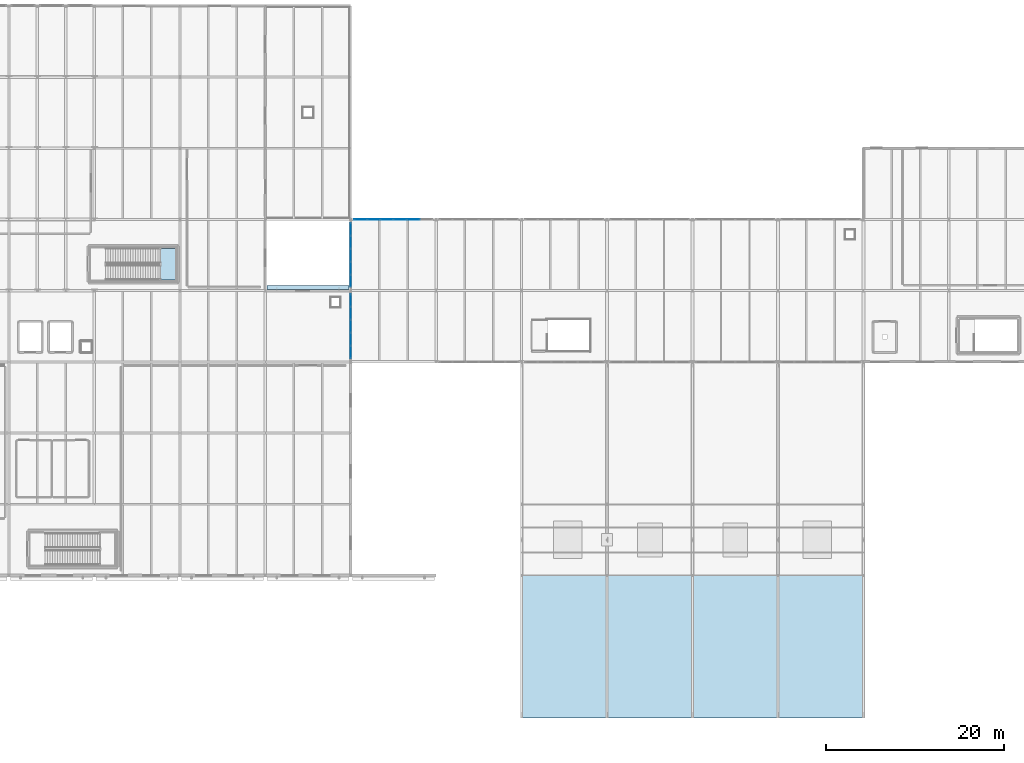
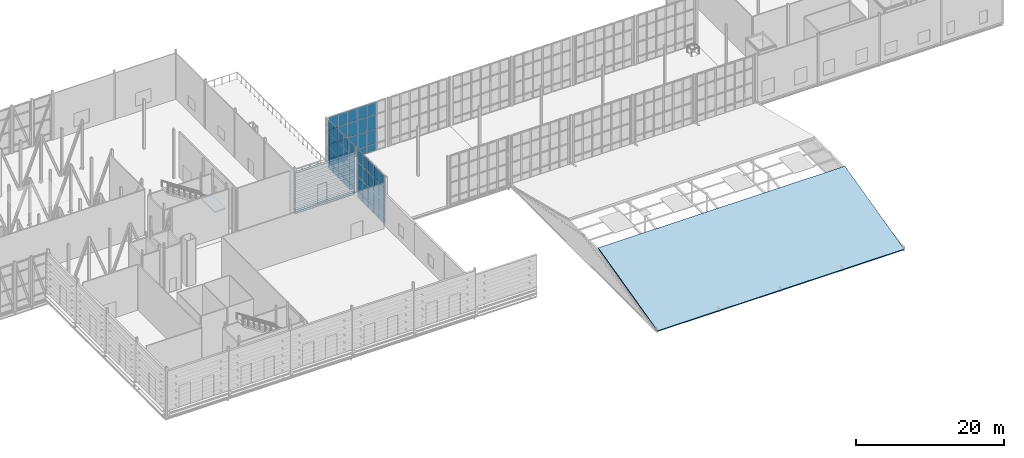
# One storey, part 50 of 73: 72 plates, 2 slabs, 4 elements without a shape of their own.
"""IFC4 building model written with IfcOpenShell, lengths in metres."""

import ifcopenshell
import ifcopenshell.guid

model = None  # the IFC model being written
_history = None  # IfcOwnerHistory: only IFC2X3 demands one
_inside = {}  # id of a spatial element -> (the spatial element, [elements in it])
_under = {}  # id of a project, library or spatial element -> (it, [spatial elements below it])
_declared = {}  # id of a project -> (the project, [libraries it declares])
_typed = {}  # id of a type object -> (the type object, [elements of that type])
_made_of = {}  # id of a material, layer set ... -> (it, [elements and type objects made of it])


def new_model(schema):
    """Start an empty IFC model of exactly this schema.

    Asked for "IFC4X3", IfcOpenShell would pick the latest addendum, in which some entities
    have other attributes; the version numbers below select the first issue.
    IFC2X3 requires an IfcOwnerHistory on every rooted entity: one is made here for all.
    """
    global model, _history
    if schema == "IFC4X3":
        model = ifcopenshell.file(schema_version=(4, 3, 0, 0))
    else:
        model = ifcopenshell.file(schema=schema)
    _inside.clear()
    _under.clear()
    _declared.clear()
    _typed.clear()
    _made_of.clear()
    _history = None
    if model.schema == "IFC2X3":
        org = make("IfcOrganization", Name="unknown")
        user = make(
            "IfcPersonAndOrganization",
            ThePerson=make("IfcPerson", FamilyName="unknown"),
            TheOrganization=org,
        )
        app = make(
            "IfcApplication",
            ApplicationDeveloper=org,
            Version="unknown",
            ApplicationFullName="unknown",
            ApplicationIdentifier="unknown",
        )
        _history = make(
            "IfcOwnerHistory",
            OwningUser=user,
            OwningApplication=app,
            ChangeAction="ADDED",
            CreationDate=0,
        )
    return model


def make(cls, **values):
    """One entity of the class cls with the attributes given. An attribute that is None is left unset."""
    return model.create_entity(
        cls, **{name: value for name, value in values.items() if value is not None}
    )


def rooted(cls, **values):
    """An entity with a GlobalId (a new one), such as an element, a storey or a relation."""
    return make(cls, GlobalId=ifcopenshell.guid.new(), OwnerHistory=_history, **values)


def si_unit(unit_type, name, prefix=None):
    """IfcSIUnit, for example si_unit("LENGTHUNIT", "METRE", prefix="MILLI")."""
    return make("IfcSIUnit", UnitType=unit_type, Prefix=prefix, Name=name)


def assignment(units):
    """IfcUnitAssignment: the units of a project."""
    return None if units is None else make("IfcUnitAssignment", Units=units)


def point(xyz):
    """IfcCartesianPoint."""
    return None if xyz is None else make("IfcCartesianPoint", Coordinates=xyz)


def direction(xyz):
    """IfcDirection."""
    return None if xyz is None else make("IfcDirection", DirectionRatios=xyz)


def frame(location, z_axis=None, x_axis=None):
    """IfcAxis2Placement3D, a coordinate frame: its origin and axes. An axis left out is left unset."""
    return make(
        "IfcAxis2Placement3D",
        Location=point(location),
        Axis=direction(z_axis),
        RefDirection=direction(x_axis),
    )


def frame_2d(location, x_axis=None):
    """IfcAxis2Placement2D, a coordinate frame in the plane: its origin and x axis."""
    return make(
        "IfcAxis2Placement2D", Location=point(location), RefDirection=direction(x_axis)
    )


def origin():
    """The frame at (0, 0, 0) with its axes left unset."""
    return frame((0.0, 0.0, 0.0))


def origin_2d():
    """The frame at (0, 0) in the plane with its x axis left unset."""
    return frame_2d((0.0, 0.0))


def place(relative_to, where):
    """IfcLocalPlacement: puts the frame where relative to a parent placement (None: the world)."""
    return make(
        "IfcLocalPlacement", PlacementRelTo=relative_to, RelativePlacement=where
    )


def context(
    kind, dimensions, precision=None, world=None, true_north=None, identifier=None
):
    """IfcGeometricRepresentationContext, for example the 3D "Model" context."""
    return make(
        "IfcGeometricRepresentationContext",
        ContextIdentifier=identifier,
        ContextType=kind,
        CoordinateSpaceDimension=dimensions,
        Precision=precision,
        WorldCoordinateSystem=world,
        TrueNorth=true_north,
    )


def subcontext(parent, identifier, kind, view, scale=None):
    """IfcGeometricRepresentationSubContext, for example "Body" below "Model"."""
    return make(
        "IfcGeometricRepresentationSubContext",
        ContextIdentifier=identifier,
        ContextType=kind,
        ParentContext=parent,
        TargetScale=scale,
        TargetView=view,
    )


def project(units=None, contexts=None):
    """IfcProject with its units and contexts."""
    return rooted(
        "IfcProject",
        Name="project",
        RepresentationContexts=contexts,
        UnitsInContext=assignment(units),
    )


def spatial(cls, under=None, at=None, **own):
    """A site, building, storey or space (cls), placed at a placement, below another one or the project."""
    s = rooted(cls, ObjectPlacement=at, **own)
    if under is not None:
        _under.setdefault(under.id(), (under, []))[1].append(s)
    return s


def polyline(points):
    """IfcPolyline through the points."""
    return make("IfcPolyline", Points=[point(p) for p in points])


def profile(cls, at=None, kind="AREA", **sizes):
    """A parametric profile (cls). Its sizes go by their IFC names, for example OverallWidth=200.0."""
    return make(cls, ProfileType=kind, Position=at, **sizes)


def rectangle(**sizes):
    """IfcRectangleProfileDef."""
    return profile("IfcRectangleProfileDef", **sizes)


def outline(outer, holes=None, kind="AREA"):
    """IfcArbitraryClosedProfileDef: a profile drawn as a closed curve; with holes, ...WithVoids."""
    if holes is None:
        return make("IfcArbitraryClosedProfileDef", ProfileType=kind, OuterCurve=outer)
    return make(
        "IfcArbitraryProfileDefWithVoids",
        ProfileType=kind,
        OuterCurve=outer,
        InnerCurves=holes,
    )


def extrude(swept, where, along, depth):
    """IfcExtrudedAreaSolid: the profile swept, set in the frame where, extruded along a direction by depth."""
    return make(
        "IfcExtrudedAreaSolid",
        SweptArea=swept,
        Position=where,
        ExtrudedDirection=direction(along),
        Depth=depth,
    )


def shape(context_of_items, identifier, shape_type, items):
    """IfcShapeRepresentation: the items that make up one representation, for example the "Body"."""
    return make(
        "IfcShapeRepresentation",
        ContextOfItems=context_of_items,
        RepresentationIdentifier=identifier,
        RepresentationType=shape_type,
        Items=items,
    )


def material(Name=None, Category=None):
    """IfcMaterial."""
    return make("IfcMaterial", Name=Name, Category=Category)


def layer(
    of_material, thickness, ventilated=None, Name=None, Category=None, Priority=None
):
    """IfcMaterialLayer: one layer of a wall or slab, of a material (None: an air gap)."""
    return make(
        "IfcMaterialLayer",
        Material=of_material,
        LayerThickness=thickness,
        IsVentilated=ventilated,
        Name=Name,
        Category=Category,
        Priority=Priority,
    )


def layer_set(layers, Name=None):
    """IfcMaterialLayerSet."""
    return make("IfcMaterialLayerSet", MaterialLayers=layers, LayerSetName=Name)


def made_of(thing, what):
    """Note that an element or type object is made of a material, layer set ...; save() writes the relation."""
    if what is not None:
        _made_of.setdefault(what.id(), (what, []))[1].append(thing)
    return thing


def type_object(cls, material=None, **own):
    """A type object (cls), such as IfcWallType, which elements share."""
    return made_of(rooted(cls, **own), material)


def element(
    cls,
    number,
    at=None,
    inside=None,
    cuts=None,
    type_object=None,
    material=None,
    context=None,
    identifier="Body",
    shape_type=None,
    held_by="IfcProductDefinitionShape",
    body=None,
    shapes=None,
    **own,
):
    """One element of the class cls, such as IfcWall. Its Tag is "e" and its number.

    at: its placement. inside: the storey or other place that contains it. cuts: it is an
    opening in that element (IfcRelVoidsElement). A single representation is given by context,
    identifier, shape_type and body (its items); several are given by shapes. held_by: the class
    of the entity that holds the representations. save() writes the other relations.
    """
    e = rooted(cls, Tag="e%d" % number, ObjectPlacement=at, **own)
    if body is not None:
        shapes = [shape(context, identifier, shape_type, body)]
    if shapes is not None:
        e.Representation = make(held_by, Representations=shapes)
    if inside is not None:
        _inside.setdefault(inside.id(), (inside, []))[1].append(e)
    if cuts is not None:
        rooted(
            "IfcRelVoidsElement", RelatingBuildingElement=cuts, RelatedOpeningElement=e
        )
    if type_object is not None:
        _typed.setdefault(type_object.id(), (type_object, []))[1].append(e)
    return made_of(e, material)


def aggregate(whole, parts):
    """IfcRelAggregates: a whole, such as a stair, and the parts it consists of."""
    return rooted("IfcRelAggregates", RelatingObject=whole, RelatedObjects=parts)


def save(model, path):
    """Write the relations noted so far, then the file.

    IfcRelAggregates (storeys below a building ...), IfcRelContainedInSpatialStructure (elements
    in a storey), IfcRelDefinesByType, IfcRelAssociatesMaterial and IfcRelDeclares: one each for
    every whole, place, type object, material and project.
    """
    for whole, parts in _under.values():
        aggregate(whole, parts)
    for where, things in _inside.values():
        rooted(
            "IfcRelContainedInSpatialStructure",
            RelatedElements=things,
            RelatingStructure=where,
        )
    for kind, things in _typed.values():
        rooted("IfcRelDefinesByType", RelatedObjects=things, RelatingType=kind)
    for what, things in _made_of.values():
        rooted("IfcRelAssociatesMaterial", RelatedObjects=things, RelatingMaterial=what)
    for by, libraries in _declared.values():
        rooted("IfcRelDeclares", RelatingContext=by, RelatedDefinitions=libraries)
    model.write(path)


model = new_model("IFC4")

# Units and contexts
model_context = context("Model", 3, precision=1e-05, world=origin(), true_north=direction((0.0, 1.0)))
body_context = subcontext(model_context, "Body", "Model", "MODEL_VIEW")
ifc_project = project(units=[si_unit("LENGTHUNIT", "METRE"), si_unit("AREAUNIT", "SQUARE_METRE"), si_unit("VOLUMEUNIT", "CUBIC_METRE"), si_unit("PLANEANGLEUNIT", "RADIAN"), si_unit("MASSUNIT", "GRAM", prefix="KILO")], contexts=[model_context])

# Site, building, storey
site_placement = place(None, origin())
site = spatial("IfcSite", under=ifc_project, at=site_placement, CompositionType="ELEMENT")
building_placement = place(site_placement, origin())
building = spatial("IfcBuilding", under=site, at=building_placement, Name="Alderhovde Museum", CompositionType="ELEMENT")
storey_placement = place(building_placement, frame((0.0, 0.0, 17.39990234375)))
storey = spatial("IfcBuildingStorey", under=building, at=storey_placement, Name="L04", CompositionType="ELEMENT", Elevation=17.39990234375)

# Curtain wall, plates
ifc_material_1 = material(Name="Triple-Glazed Bronze-Anodised Curtain Wall", Category="glass")
ifc_layer_1 = layer(ifc_material_1, 0.219970703125)
ifc_layer_set_1 = layer_set([ifc_layer_1], Name="Triple-Glazed Bronze-Anodised Curtain Wall")
curtain_wall_type_1 = type_object("IfcCurtainWallType", Name="CW-STIC-730x805", PredefinedType="USERDEFINED", material=ifc_layer_set_1)
curtain_wall_1_placement = place(storey_placement, origin())
curtain_wall_1 = element("IfcCurtainWall", 1, at=curtain_wall_1_placement, inside=storey, type_object=curtain_wall_type_1, Name="L04 Stick Curtain Wall 89", ObjectType="STICK CURTAIN WALL", PredefinedType="USERDEFINED")
ifc_material_2 = material(Name="Triple-Glazed Low-E Laminated Glass", Category="glass")
ifc_layer_2 = layer(ifc_material_2, 0.035888671875)
ifc_layer_set_2 = layer_set([ifc_layer_2], Name="Triple-Glazed Low-E Laminated Glass")
plate_type_1 = type_object("IfcPlateType", Name="CWP-GLAZ-36", PredefinedType="CURTAIN_PANEL", material=ifc_layer_set_2)
plate_1_placement = place(storey_placement, frame((57.60009765625, 73.0986328125, 0.0751953125), z_axis=(0.0, 0.0, 1.0), x_axis=(0.0, 1.0, 0.0)))
plate_1 = element("IfcPlate", 2, at=plate_1_placement, type_object=plate_type_1, Name="CW23 panel 1.1", PredefinedType="CURTAIN_PANEL", context=body_context, shape_type="SweptSolid", body=[
    extrude(rectangle(XDim=1.347412109375, YDim=0.035888671875, at=origin_2d()), origin(), (0.0, 0.0, 1.0), 1.08740234375),
])
plate_2_placement = place(storey_placement, frame((57.60009765625, 73.0986328125, 1.23779296875), z_axis=(0.0, 0.0, 1.0), x_axis=(0.0, 1.0, 0.0)))
plate_2 = element("IfcPlate", 3, at=plate_2_placement, type_object=plate_type_1, Name="CW23 panel 1.2", PredefinedType="CURTAIN_PANEL", context=body_context, shape_type="SweptSolid", body=[
    extrude(rectangle(XDim=1.347412109375, YDim=0.035888671875, at=origin_2d()), origin(), (0.0, 0.0, 1.0), 2.324951171875),
])
plate_3_placement = place(storey_placement, frame((57.60009765625, 73.0986328125, 3.6376953125), z_axis=(0.0, 0.0, 1.0), x_axis=(0.0, 1.0, 0.0)))
plate_3 = element("IfcPlate", 4, at=plate_3_placement, type_object=plate_type_1, Name="CW23 panel 1.3", PredefinedType="CURTAIN_PANEL", context=body_context, shape_type="SweptSolid", body=[
    extrude(rectangle(XDim=1.347412109375, YDim=0.035888671875, at=origin_2d()), origin(), (0.0, 0.0, 1.0), 2.324951171875),
])
plate_4_placement = place(storey_placement, frame((57.60009765625, 73.0986328125, 6.03759765625), z_axis=(0.0, 0.0, 1.0), x_axis=(0.0, 1.0, 0.0)))
plate_4 = element("IfcPlate", 5, at=plate_4_placement, type_object=plate_type_1, Name="CW23 panel 1.4", PredefinedType="CURTAIN_PANEL", context=body_context, shape_type="SweptSolid", body=[
    extrude(rectangle(XDim=1.347412109375, YDim=0.035888671875, at=origin_2d()), origin(), (0.0, 0.0, 1.0), 1.9375),
])
plate_5_placement = place(storey_placement, frame((57.60009765625, 74.5400390625, 0.0751953125), z_axis=(0.0, 0.0, 1.0), x_axis=(0.0, 1.0, 0.0)))
plate_5 = element("IfcPlate", 6, at=plate_5_placement, type_object=plate_type_1, Name="CW23 panel 2.1", PredefinedType="CURTAIN_PANEL", context=body_context, shape_type="SweptSolid", body=[
    extrude(rectangle(XDim=1.385009765625, YDim=0.035888671875, at=origin_2d()), origin(), (0.0, 0.0, 1.0), 1.08740234375),
])
plate_6_placement = place(storey_placement, frame((57.60009765625, 74.5400390625, 1.23779296875), z_axis=(0.0, 0.0, 1.0), x_axis=(0.0, 1.0, 0.0)))
plate_6 = element("IfcPlate", 7, at=plate_6_placement, type_object=plate_type_1, Name="CW23 panel 2.2", PredefinedType="CURTAIN_PANEL", context=body_context, shape_type="SweptSolid", body=[
    extrude(rectangle(XDim=1.385009765625, YDim=0.035888671875, at=origin_2d()), origin(), (0.0, 0.0, 1.0), 2.324951171875),
])
plate_7_placement = place(storey_placement, frame((57.60009765625, 74.5400390625, 3.6376953125), z_axis=(0.0, 0.0, 1.0), x_axis=(0.0, 1.0, 0.0)))
plate_7 = element("IfcPlate", 8, at=plate_7_placement, type_object=plate_type_1, Name="CW23 panel 2.3", PredefinedType="CURTAIN_PANEL", context=body_context, shape_type="SweptSolid", body=[
    extrude(rectangle(XDim=1.385009765625, YDim=0.035888671875, at=origin_2d()), origin(), (0.0, 0.0, 1.0), 2.324951171875),
])
plate_8_placement = place(storey_placement, frame((57.60009765625, 74.5400390625, 6.03759765625), z_axis=(0.0, 0.0, 1.0), x_axis=(0.0, 1.0, 0.0)))
plate_8 = element("IfcPlate", 9, at=plate_8_placement, type_object=plate_type_1, Name="CW23 panel 2.4", PredefinedType="CURTAIN_PANEL", context=body_context, shape_type="SweptSolid", body=[
    extrude(rectangle(XDim=1.385009765625, YDim=0.035888671875, at=origin_2d()), origin(), (0.0, 0.0, 1.0), 1.9375),
])
plate_9_placement = place(storey_placement, frame((57.60009765625, 76.0, 0.0751953125), z_axis=(0.0, 0.0, 1.0), x_axis=(0.0, 1.0, 0.0)))
plate_9 = element("IfcPlate", 10, at=plate_9_placement, type_object=plate_type_1, Name="CW23 panel 3.1", PredefinedType="CURTAIN_PANEL", context=body_context, shape_type="SweptSolid", body=[
    extrude(rectangle(XDim=1.385009765625, YDim=0.035888671875, at=origin_2d()), origin(), (0.0, 0.0, 1.0), 1.08740234375),
])
plate_10_placement = place(storey_placement, frame((57.60009765625, 76.0, 1.23779296875), z_axis=(0.0, 0.0, 1.0), x_axis=(0.0, 1.0, 0.0)))
plate_10 = element("IfcPlate", 11, at=plate_10_placement, type_object=plate_type_1, Name="CW23 panel 3.2", PredefinedType="CURTAIN_PANEL", context=body_context, shape_type="SweptSolid", body=[
    extrude(rectangle(XDim=1.385009765625, YDim=0.035888671875, at=origin_2d()), origin(), (0.0, 0.0, 1.0), 2.324951171875),
])
plate_11_placement = place(storey_placement, frame((57.60009765625, 76.0, 3.6376953125), z_axis=(0.0, 0.0, 1.0), x_axis=(0.0, 1.0, 0.0)))
plate_11 = element("IfcPlate", 12, at=plate_11_placement, type_object=plate_type_1, Name="CW23 panel 3.3", PredefinedType="CURTAIN_PANEL", context=body_context, shape_type="SweptSolid", body=[
    extrude(rectangle(XDim=1.385009765625, YDim=0.035888671875, at=origin_2d()), origin(), (0.0, 0.0, 1.0), 2.324951171875),
])
plate_12_placement = place(storey_placement, frame((57.60009765625, 76.0, 6.03759765625), z_axis=(0.0, 0.0, 1.0), x_axis=(0.0, 1.0, 0.0)))
plate_12 = element("IfcPlate", 13, at=plate_12_placement, type_object=plate_type_1, Name="CW23 panel 3.4", PredefinedType="CURTAIN_PANEL", context=body_context, shape_type="SweptSolid", body=[
    extrude(rectangle(XDim=1.385009765625, YDim=0.035888671875, at=origin_2d()), origin(), (0.0, 0.0, 1.0), 1.9375),
])
plate_13_placement = place(storey_placement, frame((57.60009765625, 77.4599609375, 0.0751953125), z_axis=(0.0, 0.0, 1.0), x_axis=(0.0, 1.0, 0.0)))
plate_13 = element("IfcPlate", 14, at=plate_13_placement, type_object=plate_type_1, Name="CW23 panel 4.1", PredefinedType="CURTAIN_PANEL", context=body_context, shape_type="SweptSolid", body=[
    extrude(rectangle(XDim=1.385009765625, YDim=0.035888671875, at=origin_2d()), origin(), (0.0, 0.0, 1.0), 1.08740234375),
])
plate_14_placement = place(storey_placement, frame((57.60009765625, 77.4599609375, 1.23779296875), z_axis=(0.0, 0.0, 1.0), x_axis=(0.0, 1.0, 0.0)))
plate_14 = element("IfcPlate", 15, at=plate_14_placement, type_object=plate_type_1, Name="CW23 panel 4.2", PredefinedType="CURTAIN_PANEL", context=body_context, shape_type="SweptSolid", body=[
    extrude(rectangle(XDim=1.385009765625, YDim=0.035888671875, at=origin_2d()), origin(), (0.0, 0.0, 1.0), 2.324951171875),
])
plate_15_placement = place(storey_placement, frame((57.60009765625, 77.4599609375, 3.6376953125), z_axis=(0.0, 0.0, 1.0), x_axis=(0.0, 1.0, 0.0)))
plate_15 = element("IfcPlate", 16, at=plate_15_placement, type_object=plate_type_1, Name="CW23 panel 4.3", PredefinedType="CURTAIN_PANEL", context=body_context, shape_type="SweptSolid", body=[
    extrude(rectangle(XDim=1.385009765625, YDim=0.035888671875, at=origin_2d()), origin(), (0.0, 0.0, 1.0), 2.324951171875),
])
plate_16_placement = place(storey_placement, frame((57.60009765625, 77.4599609375, 6.03759765625), z_axis=(0.0, 0.0, 1.0), x_axis=(0.0, 1.0, 0.0)))
plate_16 = element("IfcPlate", 17, at=plate_16_placement, type_object=plate_type_1, Name="CW23 panel 4.4", PredefinedType="CURTAIN_PANEL", context=body_context, shape_type="SweptSolid", body=[
    extrude(rectangle(XDim=1.385009765625, YDim=0.035888671875, at=origin_2d()), origin(), (0.0, 0.0, 1.0), 1.9375),
])
plate_17_placement = place(storey_placement, frame((57.60009765625, 78.9013671875, 0.0751953125), z_axis=(0.0, 0.0, 1.0), x_axis=(0.0, 1.0, 0.0)))
plate_17 = element("IfcPlate", 18, at=plate_17_placement, type_object=plate_type_1, Name="CW23 panel 5.1", PredefinedType="CURTAIN_PANEL", context=body_context, shape_type="SweptSolid", body=[
    extrude(rectangle(XDim=1.347412109375, YDim=0.035888671875, at=origin_2d()), origin(), (0.0, 0.0, 1.0), 1.08740234375),
])
plate_18_placement = place(storey_placement, frame((57.60009765625, 78.9013671875, 1.23779296875), z_axis=(0.0, 0.0, 1.0), x_axis=(0.0, 1.0, 0.0)))
plate_18 = element("IfcPlate", 19, at=plate_18_placement, type_object=plate_type_1, Name="CW23 panel 5.2", PredefinedType="CURTAIN_PANEL", context=body_context, shape_type="SweptSolid", body=[
    extrude(rectangle(XDim=1.347412109375, YDim=0.035888671875, at=origin_2d()), origin(), (0.0, 0.0, 1.0), 2.324951171875),
])
plate_19_placement = place(storey_placement, frame((57.60009765625, 78.9013671875, 3.6376953125), z_axis=(0.0, 0.0, 1.0), x_axis=(0.0, 1.0, 0.0)))
plate_19 = element("IfcPlate", 20, at=plate_19_placement, type_object=plate_type_1, Name="CW23 panel 5.3", PredefinedType="CURTAIN_PANEL", context=body_context, shape_type="SweptSolid", body=[
    extrude(rectangle(XDim=1.347412109375, YDim=0.035888671875, at=origin_2d()), origin(), (0.0, 0.0, 1.0), 2.324951171875),
])
plate_20_placement = place(storey_placement, frame((57.60009765625, 78.9013671875, 6.03759765625), z_axis=(0.0, 0.0, 1.0), x_axis=(0.0, 1.0, 0.0)))
plate_20 = element("IfcPlate", 21, at=plate_20_placement, type_object=plate_type_1, Name="CW23 panel 5.4", PredefinedType="CURTAIN_PANEL", context=body_context, shape_type="SweptSolid", body=[
    extrude(rectangle(XDim=1.347412109375, YDim=0.035888671875, at=origin_2d()), origin(), (0.0, 0.0, 1.0), 1.9375),
])
aggregate(curtain_wall_1, [plate_1, plate_2, plate_3, plate_4, plate_5, plate_6, plate_7, plate_8, plate_9, plate_10, plate_11, plate_12, plate_13, plate_14, plate_15, plate_16, plate_17, plate_18, plate_19, plate_20])

ifc_material_3 = material(Name="Triple-Glazed Bronze-Anodised Curtain Wall", Category="glass")
ifc_layer_3 = layer(ifc_material_3, 0.219970703125)
ifc_layer_set_3 = layer_set([ifc_layer_3], Name="Triple-Glazed Bronze-Anodised Curtain Wall")
curtain_wall_type_2 = type_object("IfcCurtainWallType", Name="CW-UNIT-890x805", PredefinedType="USERDEFINED", material=ifc_layer_set_3)
curtain_wall_2_placement = place(storey_placement, origin())
curtain_wall_2 = element("IfcCurtainWall", 22, at=curtain_wall_2_placement, inside=storey, type_object=curtain_wall_type_2, Name="L04 Unitised Curtain Wall 78", ObjectType="UNITISED CURTAIN WALL", PredefinedType="USERDEFINED")
ifc_material_4 = material(Name="Triple-Glazed Low-E Laminated Glass", Category="glass")
ifc_layer_4 = layer(ifc_material_4, 0.0439453125)
ifc_layer_set_4 = layer_set([ifc_layer_4], Name="Triple-Glazed Low-E Laminated Glass")
plate_type_2 = type_object("IfcPlateType", Name="CWP-GLAZ-44", PredefinedType="CURTAIN_PANEL", material=ifc_layer_set_4)
plate_21_placement = place(storey_placement, frame((58.71044921875, 88.0, 0.0751953125), z_axis=(0.0, 0.0, 1.0), x_axis=(1.0, 0.0, 0.0)))
plate_21 = element("IfcPlate", 23, at=plate_21_placement, type_object=plate_type_2, Name="CW21 panel 1.1", PredefinedType="CURTAIN_PANEL", context=body_context, shape_type="SweptSolid", body=[
    extrude(rectangle(XDim=1.370849609375, YDim=0.0439453125, at=origin_2d()), origin(), (0.0, 0.0, 1.0), 1.08740234375),
])
plate_22_placement = place(storey_placement, frame((58.71044921875, 88.0, 1.23779296875), z_axis=(0.0, 0.0, 1.0), x_axis=(1.0, 0.0, 0.0)))
plate_22 = element("IfcPlate", 24, at=plate_22_placement, type_object=plate_type_2, Name="CW21 panel 1.2", PredefinedType="CURTAIN_PANEL", context=body_context, shape_type="SweptSolid", body=[
    extrude(rectangle(XDim=1.370849609375, YDim=0.0439453125, at=origin_2d()), origin(), (0.0, 0.0, 1.0), 2.324951171875),
])
plate_23_placement = place(storey_placement, frame((58.71044921875, 88.0, 3.6376953125), z_axis=(0.0, 0.0, 1.0), x_axis=(1.0, 0.0, 0.0)))
plate_23 = element("IfcPlate", 25, at=plate_23_placement, type_object=plate_type_2, Name="CW21 panel 1.3", PredefinedType="CURTAIN_PANEL", context=body_context, shape_type="SweptSolid", body=[
    extrude(rectangle(XDim=1.370849609375, YDim=0.0439453125, at=origin_2d()), origin(), (0.0, 0.0, 1.0), 2.324951171875),
])
plate_24_placement = place(storey_placement, frame((58.71044921875, 88.0, 6.03759765625), z_axis=(0.0, 0.0, 1.0), x_axis=(1.0, 0.0, 0.0)))
plate_24 = element("IfcPlate", 26, at=plate_24_placement, type_object=plate_type_2, Name="CW21 panel 1.4", PredefinedType="CURTAIN_PANEL", context=body_context, shape_type="SweptSolid", body=[
    extrude(rectangle(XDim=1.370849609375, YDim=0.0439453125, at=origin_2d()), origin(), (0.0, 0.0, 1.0), 1.9375),
])
plate_25_placement = place(storey_placement, frame((60.175048828125, 88.0, 0.0751953125), z_axis=(0.0, 0.0, 1.0), x_axis=(1.0, 0.0, 0.0)))
plate_25 = element("IfcPlate", 27, at=plate_25_placement, type_object=plate_type_2, Name="CW21 panel 2.1", PredefinedType="CURTAIN_PANEL", context=body_context, shape_type="SweptSolid", body=[
    extrude(rectangle(XDim=1.408447265625, YDim=0.0439453125, at=origin_2d()), origin(), (0.0, 0.0, 1.0), 1.08740234375),
])
plate_26_placement = place(storey_placement, frame((60.175048828125, 88.0, 1.23779296875), z_axis=(0.0, 0.0, 1.0), x_axis=(1.0, 0.0, 0.0)))
plate_26 = element("IfcPlate", 28, at=plate_26_placement, type_object=plate_type_2, Name="CW21 panel 2.2", PredefinedType="CURTAIN_PANEL", context=body_context, shape_type="SweptSolid", body=[
    extrude(rectangle(XDim=1.408447265625, YDim=0.0439453125, at=origin_2d()), origin(), (0.0, 0.0, 1.0), 2.324951171875),
])
plate_27_placement = place(storey_placement, frame((60.175048828125, 88.0, 3.6376953125), z_axis=(0.0, 0.0, 1.0), x_axis=(1.0, 0.0, 0.0)))
plate_27 = element("IfcPlate", 29, at=plate_27_placement, type_object=plate_type_2, Name="CW21 panel 2.3", PredefinedType="CURTAIN_PANEL", context=body_context, shape_type="SweptSolid", body=[
    extrude(rectangle(XDim=1.408447265625, YDim=0.0439453125, at=origin_2d()), origin(), (0.0, 0.0, 1.0), 2.324951171875),
])
plate_28_placement = place(storey_placement, frame((60.175048828125, 88.0, 6.03759765625), z_axis=(0.0, 0.0, 1.0), x_axis=(1.0, 0.0, 0.0)))
plate_28 = element("IfcPlate", 30, at=plate_28_placement, type_object=plate_type_2, Name="CW21 panel 2.4", PredefinedType="CURTAIN_PANEL", context=body_context, shape_type="SweptSolid", body=[
    extrude(rectangle(XDim=1.408447265625, YDim=0.0439453125, at=origin_2d()), origin(), (0.0, 0.0, 1.0), 1.9375),
])
plate_29_placement = place(storey_placement, frame((61.658447265625, 88.0, 0.0751953125), z_axis=(0.0, 0.0, 1.0), x_axis=(1.0, 0.0, 0.0)))
plate_29 = element("IfcPlate", 31, at=plate_29_placement, type_object=plate_type_2, Name="CW21 panel 3.1", PredefinedType="CURTAIN_PANEL", context=body_context, shape_type="SweptSolid", body=[
    extrude(rectangle(XDim=1.408447265625, YDim=0.0439453125, at=origin_2d()), origin(), (0.0, 0.0, 1.0), 1.08740234375),
])
plate_30_placement = place(storey_placement, frame((61.658447265625, 88.0, 1.23779296875), z_axis=(0.0, 0.0, 1.0), x_axis=(1.0, 0.0, 0.0)))
plate_30 = element("IfcPlate", 32, at=plate_30_placement, type_object=plate_type_2, Name="CW21 panel 3.2", PredefinedType="CURTAIN_PANEL", context=body_context, shape_type="SweptSolid", body=[
    extrude(rectangle(XDim=1.408447265625, YDim=0.0439453125, at=origin_2d()), origin(), (0.0, 0.0, 1.0), 2.324951171875),
])
plate_31_placement = place(storey_placement, frame((61.658447265625, 88.0, 3.6376953125), z_axis=(0.0, 0.0, 1.0), x_axis=(1.0, 0.0, 0.0)))
plate_31 = element("IfcPlate", 33, at=plate_31_placement, type_object=plate_type_2, Name="CW21 panel 3.3", PredefinedType="CURTAIN_PANEL", context=body_context, shape_type="SweptSolid", body=[
    extrude(rectangle(XDim=1.408447265625, YDim=0.0439453125, at=origin_2d()), origin(), (0.0, 0.0, 1.0), 2.324951171875),
])
plate_32_placement = place(storey_placement, frame((61.658447265625, 88.0, 6.03759765625), z_axis=(0.0, 0.0, 1.0), x_axis=(1.0, 0.0, 0.0)))
plate_32 = element("IfcPlate", 34, at=plate_32_placement, type_object=plate_type_2, Name="CW21 panel 3.4", PredefinedType="CURTAIN_PANEL", context=body_context, shape_type="SweptSolid", body=[
    extrude(rectangle(XDim=1.408447265625, YDim=0.0439453125, at=origin_2d()), origin(), (0.0, 0.0, 1.0), 1.9375),
])
plate_33_placement = place(storey_placement, frame((63.1416015625, 88.0, 0.0751953125), z_axis=(0.0, 0.0, 1.0), x_axis=(1.0, 0.0, 0.0)))
plate_33 = element("IfcPlate", 35, at=plate_33_placement, type_object=plate_type_2, Name="CW21 panel 4.1", PredefinedType="CURTAIN_PANEL", context=body_context, shape_type="SweptSolid", body=[
    extrude(rectangle(XDim=1.408447265625, YDim=0.0439453125, at=origin_2d()), origin(), (0.0, 0.0, 1.0), 1.08740234375),
])
plate_34_placement = place(storey_placement, frame((63.1416015625, 88.0, 1.23779296875), z_axis=(0.0, 0.0, 1.0), x_axis=(1.0, 0.0, 0.0)))
plate_34 = element("IfcPlate", 36, at=plate_34_placement, type_object=plate_type_2, Name="CW21 panel 4.2", PredefinedType="CURTAIN_PANEL", context=body_context, shape_type="SweptSolid", body=[
    extrude(rectangle(XDim=1.408447265625, YDim=0.0439453125, at=origin_2d()), origin(), (0.0, 0.0, 1.0), 2.324951171875),
])
plate_35_placement = place(storey_placement, frame((63.1416015625, 88.0, 3.6376953125), z_axis=(0.0, 0.0, 1.0), x_axis=(1.0, 0.0, 0.0)))
plate_35 = element("IfcPlate", 37, at=plate_35_placement, type_object=plate_type_2, Name="CW21 panel 4.3", PredefinedType="CURTAIN_PANEL", context=body_context, shape_type="SweptSolid", body=[
    extrude(rectangle(XDim=1.408447265625, YDim=0.0439453125, at=origin_2d()), origin(), (0.0, 0.0, 1.0), 2.324951171875),
])
plate_36_placement = place(storey_placement, frame((63.1416015625, 88.0, 6.03759765625), z_axis=(0.0, 0.0, 1.0), x_axis=(1.0, 0.0, 0.0)))
plate_36 = element("IfcPlate", 38, at=plate_36_placement, type_object=plate_type_2, Name="CW21 panel 4.4", PredefinedType="CURTAIN_PANEL", context=body_context, shape_type="SweptSolid", body=[
    extrude(rectangle(XDim=1.408447265625, YDim=0.0439453125, at=origin_2d()), origin(), (0.0, 0.0, 1.0), 1.9375),
])
plate_37_placement = place(storey_placement, frame((64.625, 88.0, 0.0751953125), z_axis=(0.0, 0.0, 1.0), x_axis=(1.0, 0.0, 0.0)))
plate_37 = element("IfcPlate", 39, at=plate_37_placement, type_object=plate_type_2, Name="CW21 panel 5.1", PredefinedType="CURTAIN_PANEL", context=body_context, shape_type="SweptSolid", body=[
    extrude(rectangle(XDim=1.408447265625, YDim=0.0439453125, at=origin_2d()), origin(), (0.0, 0.0, 1.0), 1.08740234375),
])
plate_38_placement = place(storey_placement, frame((64.625, 88.0, 1.23779296875), z_axis=(0.0, 0.0, 1.0), x_axis=(1.0, 0.0, 0.0)))
plate_38 = element("IfcPlate", 40, at=plate_38_placement, type_object=plate_type_2, Name="CW21 panel 5.2", PredefinedType="CURTAIN_PANEL", context=body_context, shape_type="SweptSolid", body=[
    extrude(rectangle(XDim=1.408447265625, YDim=0.0439453125, at=origin_2d()), origin(), (0.0, 0.0, 1.0), 2.324951171875),
])
plate_39_placement = place(storey_placement, frame((64.625, 88.0, 3.6376953125), z_axis=(0.0, 0.0, 1.0), x_axis=(1.0, 0.0, 0.0)))
plate_39 = element("IfcPlate", 41, at=plate_39_placement, type_object=plate_type_2, Name="CW21 panel 5.3", PredefinedType="CURTAIN_PANEL", context=body_context, shape_type="SweptSolid", body=[
    extrude(rectangle(XDim=1.408447265625, YDim=0.0439453125, at=origin_2d()), origin(), (0.0, 0.0, 1.0), 2.324951171875),
])
plate_40_placement = place(storey_placement, frame((64.625, 88.0, 6.03759765625), z_axis=(0.0, 0.0, 1.0), x_axis=(1.0, 0.0, 0.0)))
plate_40 = element("IfcPlate", 42, at=plate_40_placement, type_object=plate_type_2, Name="CW21 panel 5.4", PredefinedType="CURTAIN_PANEL", context=body_context, shape_type="SweptSolid", body=[
    extrude(rectangle(XDim=1.408447265625, YDim=0.0439453125, at=origin_2d()), origin(), (0.0, 0.0, 1.0), 1.9375),
])
aggregate(curtain_wall_2, [plate_21, plate_22, plate_23, plate_24, plate_25, plate_26, plate_27, plate_28, plate_29, plate_30, plate_31, plate_32, plate_33, plate_34, plate_35, plate_36, plate_37, plate_38, plate_39, plate_40])

curtain_wall_3_placement = place(storey_placement, origin())
curtain_wall_3 = element("IfcCurtainWall", 43, at=curtain_wall_3_placement, inside=storey, type_object=curtain_wall_type_1, Name="L04 Stick Curtain Wall 90", ObjectType="STICK CURTAIN WALL", PredefinedType="USERDEFINED")
plate_41_placement = place(storey_placement, frame((57.60009765625, 81.0986328125, 0.0751953125), z_axis=(0.0, 0.0, 1.0), x_axis=(0.0, 1.0, 0.0)))
plate_41 = element("IfcPlate", 44, at=plate_41_placement, type_object=plate_type_2, Name="CW23 panel 1.1", PredefinedType="CURTAIN_PANEL", context=body_context, shape_type="SweptSolid", body=[
    extrude(rectangle(XDim=1.347412109375, YDim=0.0439453125, at=origin_2d()), origin(), (0.0, 0.0, 1.0), 1.08740234375),
])
plate_42_placement = place(storey_placement, frame((57.60009765625, 81.0986328125, 1.23779296875), z_axis=(0.0, 0.0, 1.0), x_axis=(0.0, 1.0, 0.0)))
plate_42 = element("IfcPlate", 45, at=plate_42_placement, type_object=plate_type_2, Name="CW23 panel 1.2", PredefinedType="CURTAIN_PANEL", context=body_context, shape_type="SweptSolid", body=[
    extrude(rectangle(XDim=1.347412109375, YDim=0.0439453125, at=origin_2d()), origin(), (0.0, 0.0, 1.0), 2.324951171875),
])
plate_43_placement = place(storey_placement, frame((57.60009765625, 81.0986328125, 3.6376953125), z_axis=(0.0, 0.0, 1.0), x_axis=(0.0, 1.0, 0.0)))
plate_43 = element("IfcPlate", 46, at=plate_43_placement, type_object=plate_type_2, Name="CW23 panel 1.3", PredefinedType="CURTAIN_PANEL", context=body_context, shape_type="SweptSolid", body=[
    extrude(rectangle(XDim=1.347412109375, YDim=0.0439453125, at=origin_2d()), origin(), (0.0, 0.0, 1.0), 2.324951171875),
])
plate_44_placement = place(storey_placement, frame((57.60009765625, 81.0986328125, 6.03759765625), z_axis=(0.0, 0.0, 1.0), x_axis=(0.0, 1.0, 0.0)))
plate_44 = element("IfcPlate", 47, at=plate_44_placement, type_object=plate_type_2, Name="CW23 panel 1.4", PredefinedType="CURTAIN_PANEL", context=body_context, shape_type="SweptSolid", body=[
    extrude(rectangle(XDim=1.347412109375, YDim=0.0439453125, at=origin_2d()), origin(), (0.0, 0.0, 1.0), 1.9375),
])
plate_45_placement = place(storey_placement, frame((57.60009765625, 82.5400390625, 0.0751953125), z_axis=(0.0, 0.0, 1.0), x_axis=(0.0, 1.0, 0.0)))
plate_45 = element("IfcPlate", 48, at=plate_45_placement, type_object=plate_type_2, Name="CW23 panel 2.1", PredefinedType="CURTAIN_PANEL", context=body_context, shape_type="SweptSolid", body=[
    extrude(rectangle(XDim=1.385009765625, YDim=0.0439453125, at=origin_2d()), origin(), (0.0, 0.0, 1.0), 1.08740234375),
])
plate_46_placement = place(storey_placement, frame((57.60009765625, 82.5400390625, 1.23779296875), z_axis=(0.0, 0.0, 1.0), x_axis=(0.0, 1.0, 0.0)))
plate_46 = element("IfcPlate", 49, at=plate_46_placement, type_object=plate_type_2, Name="CW23 panel 2.2", PredefinedType="CURTAIN_PANEL", context=body_context, shape_type="SweptSolid", body=[
    extrude(rectangle(XDim=1.385009765625, YDim=0.0439453125, at=origin_2d()), origin(), (0.0, 0.0, 1.0), 2.324951171875),
])
plate_47_placement = place(storey_placement, frame((57.60009765625, 82.5400390625, 3.6376953125), z_axis=(0.0, 0.0, 1.0), x_axis=(0.0, 1.0, 0.0)))
plate_47 = element("IfcPlate", 50, at=plate_47_placement, type_object=plate_type_2, Name="CW23 panel 2.3", PredefinedType="CURTAIN_PANEL", context=body_context, shape_type="SweptSolid", body=[
    extrude(rectangle(XDim=1.385009765625, YDim=0.0439453125, at=origin_2d()), origin(), (0.0, 0.0, 1.0), 2.324951171875),
])
plate_48_placement = place(storey_placement, frame((57.60009765625, 82.5400390625, 6.03759765625), z_axis=(0.0, 0.0, 1.0), x_axis=(0.0, 1.0, 0.0)))
plate_48 = element("IfcPlate", 51, at=plate_48_placement, type_object=plate_type_2, Name="CW23 panel 2.4", PredefinedType="CURTAIN_PANEL", context=body_context, shape_type="SweptSolid", body=[
    extrude(rectangle(XDim=1.385009765625, YDim=0.0439453125, at=origin_2d()), origin(), (0.0, 0.0, 1.0), 1.9375),
])
plate_49_placement = place(storey_placement, frame((57.60009765625, 84.0, 0.0751953125), z_axis=(0.0, 0.0, 1.0), x_axis=(0.0, 1.0, 0.0)))
plate_49 = element("IfcPlate", 52, at=plate_49_placement, type_object=plate_type_2, Name="CW23 panel 3.1", PredefinedType="CURTAIN_PANEL", context=body_context, shape_type="SweptSolid", body=[
    extrude(rectangle(XDim=1.385009765625, YDim=0.0439453125, at=origin_2d()), origin(), (0.0, 0.0, 1.0), 1.08740234375),
])
plate_50_placement = place(storey_placement, frame((57.60009765625, 84.0, 1.23779296875), z_axis=(0.0, 0.0, 1.0), x_axis=(0.0, 1.0, 0.0)))
plate_50 = element("IfcPlate", 53, at=plate_50_placement, type_object=plate_type_2, Name="CW23 panel 3.2", PredefinedType="CURTAIN_PANEL", context=body_context, shape_type="SweptSolid", body=[
    extrude(rectangle(XDim=1.385009765625, YDim=0.0439453125, at=origin_2d()), origin(), (0.0, 0.0, 1.0), 2.324951171875),
])
plate_51_placement = place(storey_placement, frame((57.60009765625, 84.0, 3.6376953125), z_axis=(0.0, 0.0, 1.0), x_axis=(0.0, 1.0, 0.0)))
plate_51 = element("IfcPlate", 54, at=plate_51_placement, type_object=plate_type_2, Name="CW23 panel 3.3", PredefinedType="CURTAIN_PANEL", context=body_context, shape_type="SweptSolid", body=[
    extrude(rectangle(XDim=1.385009765625, YDim=0.0439453125, at=origin_2d()), origin(), (0.0, 0.0, 1.0), 2.324951171875),
])
plate_52_placement = place(storey_placement, frame((57.60009765625, 84.0, 6.03759765625), z_axis=(0.0, 0.0, 1.0), x_axis=(0.0, 1.0, 0.0)))
plate_52 = element("IfcPlate", 55, at=plate_52_placement, type_object=plate_type_2, Name="CW23 panel 3.4", PredefinedType="CURTAIN_PANEL", context=body_context, shape_type="SweptSolid", body=[
    extrude(rectangle(XDim=1.385009765625, YDim=0.0439453125, at=origin_2d()), origin(), (0.0, 0.0, 1.0), 1.9375),
])
plate_53_placement = place(storey_placement, frame((57.60009765625, 85.4599609375, 0.0751953125), z_axis=(0.0, 0.0, 1.0), x_axis=(0.0, 1.0, 0.0)))
plate_53 = element("IfcPlate", 56, at=plate_53_placement, type_object=plate_type_2, Name="CW23 panel 4.1", PredefinedType="CURTAIN_PANEL", context=body_context, shape_type="SweptSolid", body=[
    extrude(rectangle(XDim=1.385009765625, YDim=0.0439453125, at=origin_2d()), origin(), (0.0, 0.0, 1.0), 1.08740234375),
])
plate_54_placement = place(storey_placement, frame((57.60009765625, 85.4599609375, 1.23779296875), z_axis=(0.0, 0.0, 1.0), x_axis=(0.0, 1.0, 0.0)))
plate_54 = element("IfcPlate", 57, at=plate_54_placement, type_object=plate_type_2, Name="CW23 panel 4.2", PredefinedType="CURTAIN_PANEL", context=body_context, shape_type="SweptSolid", body=[
    extrude(rectangle(XDim=1.385009765625, YDim=0.0439453125, at=origin_2d()), origin(), (0.0, 0.0, 1.0), 2.324951171875),
])
plate_55_placement = place(storey_placement, frame((57.60009765625, 85.4599609375, 3.6376953125), z_axis=(0.0, 0.0, 1.0), x_axis=(0.0, 1.0, 0.0)))
plate_55 = element("IfcPlate", 58, at=plate_55_placement, type_object=plate_type_2, Name="CW23 panel 4.3", PredefinedType="CURTAIN_PANEL", context=body_context, shape_type="SweptSolid", body=[
    extrude(rectangle(XDim=1.385009765625, YDim=0.0439453125, at=origin_2d()), origin(), (0.0, 0.0, 1.0), 2.324951171875),
])
plate_56_placement = place(storey_placement, frame((57.60009765625, 85.4599609375, 6.03759765625), z_axis=(0.0, 0.0, 1.0), x_axis=(0.0, 1.0, 0.0)))
plate_56 = element("IfcPlate", 59, at=plate_56_placement, type_object=plate_type_2, Name="CW23 panel 4.4", PredefinedType="CURTAIN_PANEL", context=body_context, shape_type="SweptSolid", body=[
    extrude(rectangle(XDim=1.385009765625, YDim=0.0439453125, at=origin_2d()), origin(), (0.0, 0.0, 1.0), 1.9375),
])
plate_57_placement = place(storey_placement, frame((57.60009765625, 86.9013671875, 0.0751953125), z_axis=(0.0, 0.0, 1.0), x_axis=(0.0, 1.0, 0.0)))
plate_57 = element("IfcPlate", 60, at=plate_57_placement, type_object=plate_type_2, Name="CW23 panel 5.1", PredefinedType="CURTAIN_PANEL", context=body_context, shape_type="SweptSolid", body=[
    extrude(rectangle(XDim=1.347412109375, YDim=0.0439453125, at=origin_2d()), origin(), (0.0, 0.0, 1.0), 1.08740234375),
])
plate_58_placement = place(storey_placement, frame((57.60009765625, 86.9013671875, 1.23779296875), z_axis=(0.0, 0.0, 1.0), x_axis=(0.0, 1.0, 0.0)))
plate_58 = element("IfcPlate", 61, at=plate_58_placement, type_object=plate_type_2, Name="CW23 panel 5.2", PredefinedType="CURTAIN_PANEL", context=body_context, shape_type="SweptSolid", body=[
    extrude(rectangle(XDim=1.347412109375, YDim=0.0439453125, at=origin_2d()), origin(), (0.0, 0.0, 1.0), 2.324951171875),
])
plate_59_placement = place(storey_placement, frame((57.60009765625, 86.9013671875, 3.6376953125), z_axis=(0.0, 0.0, 1.0), x_axis=(0.0, 1.0, 0.0)))
plate_59 = element("IfcPlate", 62, at=plate_59_placement, type_object=plate_type_2, Name="CW23 panel 5.3", PredefinedType="CURTAIN_PANEL", context=body_context, shape_type="SweptSolid", body=[
    extrude(rectangle(XDim=1.347412109375, YDim=0.0439453125, at=origin_2d()), origin(), (0.0, 0.0, 1.0), 2.324951171875),
])
plate_60_placement = place(storey_placement, frame((57.60009765625, 86.9013671875, 6.03759765625), z_axis=(0.0, 0.0, 1.0), x_axis=(0.0, 1.0, 0.0)))
plate_60 = element("IfcPlate", 63, at=plate_60_placement, type_object=plate_type_2, Name="CW23 panel 5.4", PredefinedType="CURTAIN_PANEL", context=body_context, shape_type="SweptSolid", body=[
    extrude(rectangle(XDim=1.347412109375, YDim=0.0439453125, at=origin_2d()), origin(), (0.0, 0.0, 1.0), 1.9375),
])
aggregate(curtain_wall_3, [plate_41, plate_42, plate_43, plate_44, plate_45, plate_46, plate_47, plate_48, plate_49, plate_50, plate_51, plate_52, plate_53, plate_54, plate_55, plate_56, plate_57, plate_58, plate_59, plate_60])

# Plates
ifc_material_5 = material(Name="Bronze-Anodised Aluminium EN AW-6063-T6", Category="aluminium")
ifc_layer_5 = layer(ifc_material_5, 0.06494140625)
ifc_layer_set_5 = layer_set([ifc_layer_5], Name="Bronze-Anodised Aluminium EN AW-6063-T6")
plate_type_3 = type_object("IfcPlateType", Name="LV-BLADE-450", PredefinedType="USERDEFINED", material=ifc_layer_set_5)
for number, where, z_axis, x_axis, name in (
    (64, (52.800048828125, 80.35498046875, 0.267578125), (0.0, 0.0, 1.0), (1.0, 0.0, 0.0), "L04 Wrap-Around Horizontal Louvre 307"),
    (65, (52.800048828125, 80.35498046875, 0.86767578125), (0.0, 0.0, 1.0), (1.0, 0.0, 0.0), "L04 Wrap-Around Horizontal Louvre 308"),
    (66, (52.800048828125, 80.35498046875, 1.467529296875), (0.0, 0.0, 1.0), (1.0, 0.0, 0.0), "L04 Wrap-Around Horizontal Louvre 309"),
    (67, (52.800048828125, 80.35498046875, 2.067626953125), (0.0, 0.0, 1.0), (1.0, 0.0, 0.0), "L04 Wrap-Around Horizontal Louvre 310"),
    (68, (52.800048828125, 80.35498046875, 2.667724609375), (0.0, 0.0, 1.0), (1.0, 0.0, 0.0), "L04 Wrap-Around Horizontal Louvre 311"),
    (69, (52.800048828125, 80.35498046875, 3.267578125), (0.0, 0.0, 1.0), (1.0, 0.0, 0.0), "L04 Wrap-Around Horizontal Louvre 312"),
    (70, (52.800048828125, 80.35498046875, 3.86767578125), (0.0, 0.0, 1.0), (1.0, 0.0, 0.0), "L04 Wrap-Around Horizontal Louvre 313"),
    (71, (52.800048828125, 80.35498046875, 4.467529296875), (0.0, 0.0, 1.0), (1.0, 0.0, 0.0), "L04 Wrap-Around Horizontal Louvre 314"),
    (72, (52.800048828125, 80.35498046875, 5.067626953125), (0.0, 0.0, 1.0), (1.0, 0.0, 0.0), "L04 Wrap-Around Horizontal Louvre 315"),
    (73, (52.800048828125, 80.35498046875, 5.667724609375), (0.0, 0.0, 1.0), (1.0, 0.0, 0.0), "L04 Wrap-Around Horizontal Louvre 316"),
    (74, (52.800048828125, 80.35498046875, 6.267578125), (0.0, 0.0, 1.0), (1.0, 0.0, 0.0), "L04 Wrap-Around Horizontal Louvre 317"),
    (75, (52.800048828125, 80.35498046875, 6.86767578125), (0.0, 0.0, 1.0), (1.0, 0.0, 0.0), "L04 Wrap-Around Horizontal Louvre 318"),
):
    element("IfcPlate", number, at=place(storey_placement, frame(where, z_axis=z_axis, x_axis=x_axis)), inside=storey, type_object=plate_type_3, Name=name, ObjectType="LOUVRE BLADE", PredefinedType="USERDEFINED", context=body_context, shape_type="SweptSolid", body=[
        extrude(rectangle(XDim=9.199951171875, YDim=0.449951171875, at=origin_2d()), origin(), (0.0, 0.0, 1.0), 0.06494140625),
    ])

# Stair, slab
ifc_material_6 = material(Name="Concrete C35/45", Category="concrete")
stair_type = type_object("IfcStairType", Name="STR-1500-8400", PredefinedType="HALF_TURN_STAIR", material=ifc_material_6)
stair_placement = place(storey_placement, origin())
stair = element("IfcStair", 76, at=stair_placement, inside=storey, type_object=stair_type, Name="L04 Escape Stair ST2", PredefinedType="HALF_TURN_STAIR")
ifc_material_7 = material(Name="Concrete C35/45", Category="concrete")
ifc_layer_6 = layer(ifc_material_7, 0.199951171875)
ifc_layer_set_6 = layer_set([ifc_layer_6], Name="Concrete C35/45")
slab_type_1 = type_object("IfcSlabType", Name="SLB-LANDING-200", PredefinedType="LANDING", material=ifc_layer_set_6)
slab_1_placement = place(storey_placement, frame((0.0, 0.0, 4.0)))
slab_1 = element("IfcSlab", 77, at=slab_1_placement, type_object=slab_type_1, Name="ST2 landing 1", PredefinedType="LANDING", context=body_context, shape_type="SweptSolid", body=[
    extrude(outline(polyline([(36.239990234375, 81.199951171875), (37.919921875, 81.199951171875), (37.919921875, 84.760009765625), (36.239990234375, 84.760009765625), (36.239990234375, 81.199951171875)])), origin(), (0.0, 0.0, 1.0), 0.2001953125),
])
aggregate(stair, [slab_1])

# Slab
ifc_material_8 = material(Name="Concrete C35/45", Category="concrete")
ifc_layer_7 = layer(ifc_material_8, 0.199951171875)
ifc_layer_set_7 = layer_set([ifc_layer_7], Name="Concrete C35/45")
slab_type_2 = type_object("IfcSlabType", Name="SLB-ROOF-200", PredefinedType="ROOF", material=ifc_layer_set_7)
slab_2_placement = place(storey_placement, frame((76.800048828125, 32.0, 0.239990234375), z_axis=(0.0, -0.240262651179, 0.970707916136), x_axis=(1.0, 0.0, 0.0)))
element("IfcSlab", 78, at=slab_2_placement, inside=storey, type_object=slab_type_2, Name="Conservatory Atrium South Pitched Roof", PredefinedType="ROOF", context=body_context, shape_type="SweptSolid", body=[
    extrude(outline(polyline([(0.0, 0.0), (38.39990234375, 0.0), (38.39990234375, 16.48281602945343), (0.0, 16.48281602945343), (0.0, 0.0)])), origin(), (0.0, 0.0, -1.0), 0.199951171875),
])

save(model, "model.ifc")
